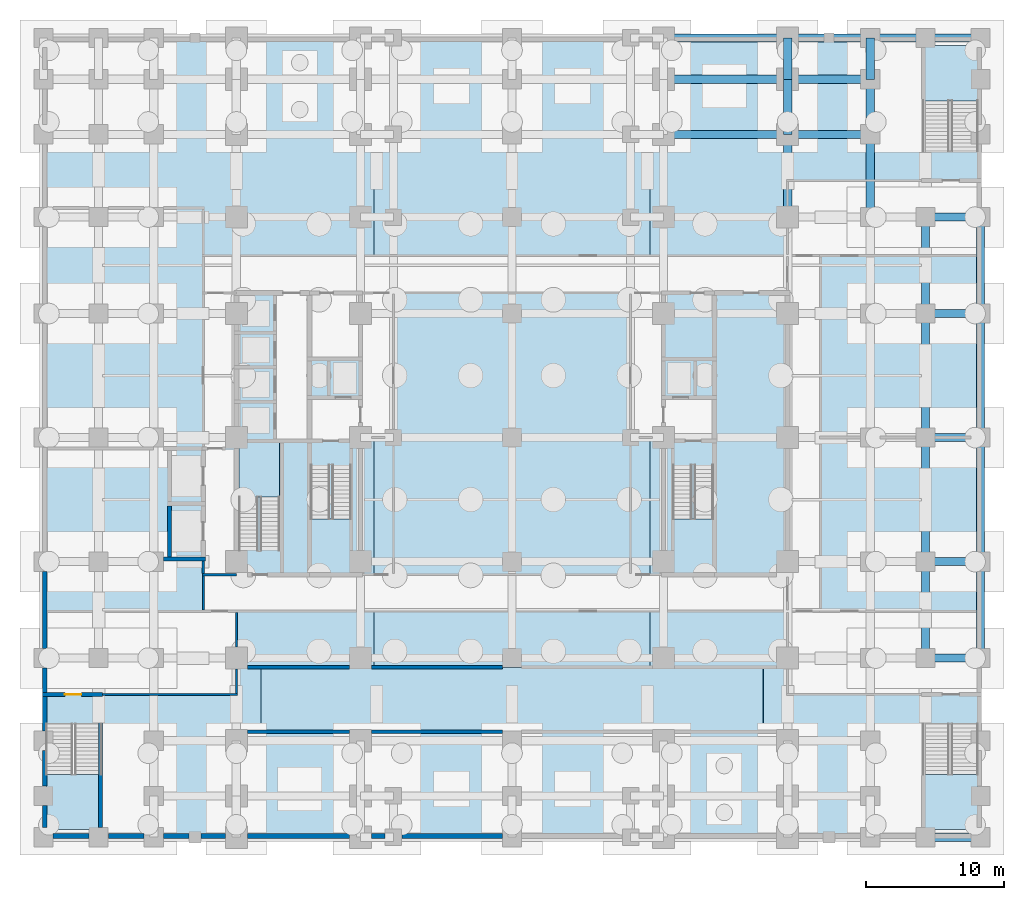
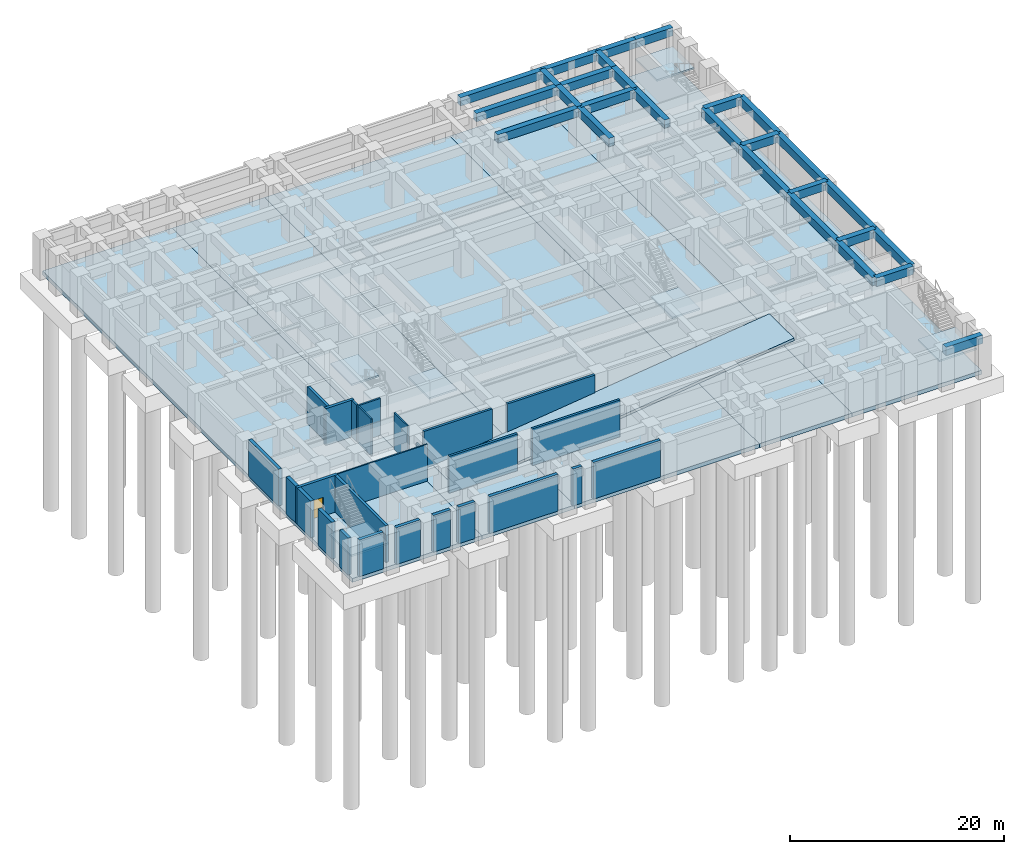
# One storey, part 5 of 16: 28 beams, 26 walls, 12 slabs, 1 door, 1 opening, 6 elements without a shape of their own.
"""IFC4 building model written with IfcOpenShell, lengths in metres."""

from ifc_helpers import new_model, si_unit, direction, frame, frame_2d, origin, origin_2d, place, context, subcontext, project, spatial, polyline, rectangle, outline, extrude, material, layer, layer_set, material_profile, profile_set, type_object, element, fill, aggregate, save


model = new_model("IFC4")

# Units and contexts
model_context = context("Model", 3, precision=1e-05, world=origin(), true_north=direction((0.0, 1.0)))
body_context = subcontext(model_context, "Body", "Model", "MODEL_VIEW")
ifc_project = project(units=[si_unit("LENGTHUNIT", "METRE"), si_unit("AREAUNIT", "SQUARE_METRE"), si_unit("VOLUMEUNIT", "CUBIC_METRE"), si_unit("PLANEANGLEUNIT", "RADIAN"), si_unit("MASSUNIT", "GRAM", prefix="KILO")], contexts=[model_context])

# Site, building, storey
site_placement = place(None, origin())
site = spatial("IfcSite", under=ifc_project, at=site_placement, CompositionType="ELEMENT")
building_placement = place(site_placement, origin())
building = spatial("IfcBuilding", under=site, at=building_placement, Name="Zulmaris Gate Convention Tower", CompositionType="ELEMENT")
storey_placement = place(building_placement, frame((0.0, 0.0, -9.10009765625)))
storey = spatial("IfcBuildingStorey", under=building, at=storey_placement, Name="B2", CompositionType="ELEMENT", Elevation=-9.10009765625)

# Beams
ifc_material_1 = material(Name="Concrete C60/75", Category="concrete")
ifc_material_profile = material_profile(ifc_material_1, rectangle(XDim=0.60009765625, YDim=0.949951171875, at=origin_2d()), Name="RC BEAM 600x950")
ifc_profile_set = profile_set([ifc_material_profile], Name="Concrete C60/75")
beam_type = type_object("IfcBeamType", Name="BM-RC600x950", PredefinedType="BEAM", material=ifc_profile_set)
for number, where, z_axis, x_axis, name in (
    (1, (30.0, -29.0, 3.72509765625), (1.0, 0.0, 0.0), (0.0, 1.0, 0.0), "B2 Beam BM-B2-X--29.0-+30.0"),
    (2, (30.0, -16.0, 3.72509765625), (1.0, 0.0, 0.0), (0.0, 1.0, 0.0), "B2 Beam BM-B2-X--16.0-+30.0"),
    (3, (30.0, -9.0, 3.72509765625), (1.0, 0.0, 0.0), (0.0, 1.0, 0.0), "B2 Beam BM-B2-X--9.0-+30.0"),
    (4, (30.0, 0.0, 3.72509765625), (1.0, 0.0, 0.0), (0.0, 1.0, 0.0), "B2 Beam BM-B2-X-+0.0-+30.0"),
    (5, (30.0, 9.0, 3.72509765625), (1.0, 0.0, 0.0), (0.0, 1.0, 0.0), "B2 Beam BM-B2-X-+9.0-+30.0"),
    (6, (30.0, 16.0, 3.72509765625), (1.0, 0.0, 0.0), (0.0, 1.0, 0.0), "B2 Beam BM-B2-X-+16.0-+30.0"),
):
    element("IfcBeam", number, at=place(storey_placement, frame(where, z_axis=z_axis, x_axis=x_axis)), inside=storey, type_object=beam_type, Name=name, PredefinedType="BEAM", context=body_context, shape_type="SweptSolid", body=[
        extrude(rectangle(XDim=0.60009765625, YDim=0.949951171875, at=origin_2d()), origin(), (0.0, 0.0, 1.0), 4.0),
    ])
beam_1_placement = place(storey_placement, frame((11.0, 22.0, 3.72509765625), z_axis=(1.0, 0.0, 0.0), x_axis=(0.0, 1.0, 0.0)))
element("IfcBeam", 7, at=beam_1_placement, inside=storey, type_object=beam_type, Name="B2 Beam BM-B2-X-+22.0-+11.0", PredefinedType="BEAM", context=body_context, shape_type="SweptSolid", body=[
    extrude(rectangle(XDim=0.60009765625, YDim=0.949951171875, at=origin_2d()), origin(), (0.0, 0.0, 1.0), 9.0),
])
beam_2_placement = place(storey_placement, frame((20.0, 22.0, 3.72509765625), z_axis=(1.0, 0.0, 0.0), x_axis=(0.0, 1.0, 0.0)))
element("IfcBeam", 8, at=beam_2_placement, inside=storey, type_object=beam_type, Name="B2 Beam BM-B2-X-+22.0-+20.0", PredefinedType="BEAM", context=body_context, shape_type="SweptSolid", body=[
    extrude(rectangle(XDim=0.60009765625, YDim=0.949951171875, at=origin_2d()), origin(), (0.0, 0.0, 1.0), 6.0),
])
beam_3_placement = place(storey_placement, frame((11.0, 26.0, 3.72509765625), z_axis=(1.0, 0.0, 0.0), x_axis=(0.0, 1.0, 0.0)))
element("IfcBeam", 9, at=beam_3_placement, inside=storey, type_object=beam_type, Name="B2 Beam BM-B2-X-+26.0-+11.0", PredefinedType="BEAM", context=body_context, shape_type="SweptSolid", body=[
    extrude(rectangle(XDim=0.60009765625, YDim=0.949951171875, at=origin_2d()), origin(), (0.0, 0.0, 1.0), 9.0),
])
beam_4_placement = place(storey_placement, frame((20.0, 26.0, 3.72509765625), z_axis=(1.0, 0.0, 0.0), x_axis=(0.0, 1.0, 0.0)))
element("IfcBeam", 10, at=beam_4_placement, inside=storey, type_object=beam_type, Name="B2 Beam BM-B2-X-+26.0-+20.0", PredefinedType="BEAM", context=body_context, shape_type="SweptSolid", body=[
    extrude(rectangle(XDim=0.60009765625, YDim=0.949951171875, at=origin_2d()), origin(), (0.0, 0.0, 1.0), 6.0),
])
beam_5_placement = place(storey_placement, frame((11.0, 29.0, 3.72509765625), z_axis=(1.0, 0.0, 0.0), x_axis=(0.0, 1.0, 0.0)))
element("IfcBeam", 11, at=beam_5_placement, inside=storey, type_object=beam_type, Name="B2 Beam BM-B2-X-+29.0-+11.0", PredefinedType="BEAM", context=body_context, shape_type="SweptSolid", body=[
    extrude(rectangle(XDim=0.60009765625, YDim=0.949951171875, at=origin_2d()), origin(), (0.0, 0.0, 1.0), 9.0),
])
beam_6_placement = place(storey_placement, frame((20.0, 29.0, 3.72509765625), z_axis=(1.0, 0.0, 0.0), x_axis=(0.0, 1.0, 0.0)))
element("IfcBeam", 12, at=beam_6_placement, inside=storey, type_object=beam_type, Name="B2 Beam BM-B2-X-+29.0-+20.0", PredefinedType="BEAM", context=body_context, shape_type="SweptSolid", body=[
    extrude(rectangle(XDim=0.60009765625, YDim=0.949951171875, at=origin_2d()), origin(), (0.0, 0.0, 1.0), 6.0),
])
for number, where, z_axis, x_axis, name in (
    (13, (26.0, 29.0, 3.72509765625), (1.0, 0.0, 0.0), (0.0, 1.0, 0.0), "B2 Beam BM-B2-X-+29.0-+26.0"),
    (14, (30.0, 29.0, 3.72509765625), (1.0, 0.0, 0.0), (0.0, 1.0, 0.0), "B2 Beam BM-B2-X-+29.0-+30.0"),
):
    element("IfcBeam", number, at=place(storey_placement, frame(where, z_axis=z_axis, x_axis=x_axis)), inside=storey, type_object=beam_type, Name=name, PredefinedType="BEAM", context=body_context, shape_type="SweptSolid", body=[
        extrude(rectangle(XDim=0.60009765625, YDim=0.949951171875, at=origin_2d()), origin(), (0.0, 0.0, 1.0), 4.0),
    ])
beam_7_placement = place(storey_placement, frame((20.0, 16.0, 3.72509765625), z_axis=(0.0, 1.0, 0.0), x_axis=(-1.0, 0.0, 0.0)))
element("IfcBeam", 15, at=beam_7_placement, inside=storey, type_object=beam_type, Name="B2 Beam BM-B2-Y-+20.0-+16.0", PredefinedType="BEAM", context=body_context, shape_type="SweptSolid", body=[
    extrude(rectangle(XDim=0.60009765625, YDim=0.949951171875, at=origin_2d()), origin(), (0.0, 0.0, 1.0), 6.0),
])
beam_8_placement = place(storey_placement, frame((20.0, 22.0, 3.72509765625), z_axis=(0.0, 1.0, 0.0), x_axis=(-1.0, 0.0, 0.0)))
element("IfcBeam", 16, at=beam_8_placement, inside=storey, type_object=beam_type, Name="B2 Beam BM-B2-Y-+20.0-+22.0", PredefinedType="BEAM", context=body_context, shape_type="SweptSolid", body=[
    extrude(rectangle(XDim=0.60009765625, YDim=0.949951171875, at=origin_2d()), origin(), (0.0, 0.0, 1.0), 4.0),
])
beam_9_placement = place(storey_placement, frame((20.0, 26.0, 3.72509765625), z_axis=(0.0, 1.0, 0.0), x_axis=(-1.0, 0.0, 0.0)))
element("IfcBeam", 17, at=beam_9_placement, inside=storey, type_object=beam_type, Name="B2 Beam BM-B2-Y-+20.0-+26.0", PredefinedType="BEAM", context=body_context, shape_type="SweptSolid", body=[
    extrude(rectangle(XDim=0.60009765625, YDim=0.949951171875, at=origin_2d()), origin(), (0.0, 0.0, 1.0), 3.0),
])
beam_10_placement = place(storey_placement, frame((26.0, 16.0, 3.72509765625), z_axis=(0.0, 1.0, 0.0), x_axis=(-1.0, 0.0, 0.0)))
element("IfcBeam", 18, at=beam_10_placement, inside=storey, type_object=beam_type, Name="B2 Beam BM-B2-Y-+26.0-+16.0", PredefinedType="BEAM", context=body_context, shape_type="SweptSolid", body=[
    extrude(rectangle(XDim=0.60009765625, YDim=0.949951171875, at=origin_2d()), origin(), (0.0, 0.0, 1.0), 6.0),
])
beam_11_placement = place(storey_placement, frame((26.0, 22.0, 3.72509765625), z_axis=(0.0, 1.0, 0.0), x_axis=(-1.0, 0.0, 0.0)))
element("IfcBeam", 19, at=beam_11_placement, inside=storey, type_object=beam_type, Name="B2 Beam BM-B2-Y-+26.0-+22.0", PredefinedType="BEAM", context=body_context, shape_type="SweptSolid", body=[
    extrude(rectangle(XDim=0.60009765625, YDim=0.949951171875, at=origin_2d()), origin(), (0.0, 0.0, 1.0), 4.0),
])
beam_12_placement = place(storey_placement, frame((26.0, 26.0, 3.72509765625), z_axis=(0.0, 1.0, 0.0), x_axis=(-1.0, 0.0, 0.0)))
element("IfcBeam", 20, at=beam_12_placement, inside=storey, type_object=beam_type, Name="B2 Beam BM-B2-Y-+26.0-+26.0", PredefinedType="BEAM", context=body_context, shape_type="SweptSolid", body=[
    extrude(rectangle(XDim=0.60009765625, YDim=0.949951171875, at=origin_2d()), origin(), (0.0, 0.0, 1.0), 3.0),
])
beam_13_placement = place(storey_placement, frame((30.0, -16.0, 3.72509765625), z_axis=(0.0, 1.0, 0.0), x_axis=(-1.0, 0.0, 0.0)))
element("IfcBeam", 21, at=beam_13_placement, inside=storey, type_object=beam_type, Name="B2 Beam BM-B2-Y-+30.0--16.0", PredefinedType="BEAM", context=body_context, shape_type="SweptSolid", body=[
    extrude(rectangle(XDim=0.60009765625, YDim=0.949951171875, at=origin_2d()), origin(), (0.0, 0.0, 1.0), 7.0),
])
for number, where, z_axis, x_axis, name in (
    (22, (30.0, -9.0, 3.72509765625), (0.0, 1.0, 0.0), (-1.0, 0.0, 0.0), "B2 Beam BM-B2-Y-+30.0--9.0"),
    (23, (30.0, 0.0, 3.72509765625), (0.0, 1.0, 0.0), (-1.0, 0.0, 0.0), "B2 Beam BM-B2-Y-+30.0-+0.0"),
):
    element("IfcBeam", number, at=place(storey_placement, frame(where, z_axis=z_axis, x_axis=x_axis)), inside=storey, type_object=beam_type, Name=name, PredefinedType="BEAM", context=body_context, shape_type="SweptSolid", body=[
        extrude(rectangle(XDim=0.60009765625, YDim=0.949951171875, at=origin_2d()), origin(), (0.0, 0.0, 1.0), 9.0),
    ])
for number, where, z_axis, x_axis, name in (
    (24, (30.0, 9.0, 3.72509765625), (0.0, 1.0, 0.0), (-1.0, 0.0, 0.0), "B2 Beam BM-B2-Y-+30.0-+9.0"),
    (25, (34.0, -16.0, 3.72509765625), (0.0, 1.0, 0.0), (-1.0, 0.0, 0.0), "B2 Beam BM-B2-Y-+34.0--16.0"),
):
    element("IfcBeam", number, at=place(storey_placement, frame(where, z_axis=z_axis, x_axis=x_axis)), inside=storey, type_object=beam_type, Name=name, PredefinedType="BEAM", context=body_context, shape_type="SweptSolid", body=[
        extrude(rectangle(XDim=0.60009765625, YDim=0.949951171875, at=origin_2d()), origin(), (0.0, 0.0, 1.0), 7.0),
    ])
for number, where, z_axis, x_axis, name in (
    (26, (34.0, -9.0, 3.72509765625), (0.0, 1.0, 0.0), (-1.0, 0.0, 0.0), "B2 Beam BM-B2-Y-+34.0--9.0"),
    (27, (34.0, 0.0, 3.72509765625), (0.0, 1.0, 0.0), (-1.0, 0.0, 0.0), "B2 Beam BM-B2-Y-+34.0-+0.0"),
):
    element("IfcBeam", number, at=place(storey_placement, frame(where, z_axis=z_axis, x_axis=x_axis)), inside=storey, type_object=beam_type, Name=name, PredefinedType="BEAM", context=body_context, shape_type="SweptSolid", body=[
        extrude(rectangle(XDim=0.60009765625, YDim=0.949951171875, at=origin_2d()), origin(), (0.0, 0.0, 1.0), 9.0),
    ])
beam_14_placement = place(storey_placement, frame((34.0, 9.0, 3.72509765625), z_axis=(0.0, 1.0, 0.0), x_axis=(-1.0, 0.0, 0.0)))
element("IfcBeam", 28, at=beam_14_placement, inside=storey, type_object=beam_type, Name="B2 Beam BM-B2-Y-+34.0-+9.0", PredefinedType="BEAM", context=body_context, shape_type="SweptSolid", body=[
    extrude(rectangle(XDim=0.60009765625, YDim=0.949951171875, at=origin_2d()), origin(), (0.0, 0.0, 1.0), 7.0),
])

# Slabs
ifc_material_2 = material(Name="Concrete C50/60", Category="concrete")
ifc_layer_1 = layer(ifc_material_2, 0.449951171875, Name="Concrete C50/60")
ifc_layer_set_1 = layer_set([ifc_layer_1], Name="Concrete C50/60")
slab_type_1 = type_object("IfcSlabType", Name="SL-BASE-450", PredefinedType="BASESLAB", material=ifc_layer_set_1)
slab_1_placement = place(storey_placement, frame((0.0, 0.0, -0.449951171875)))
element("IfcSlab", 29, at=slab_1_placement, inside=storey, type_object=slab_type_1, Name="B2 Base Slab Bay A", PredefinedType="BASESLAB", context=body_context, shape_type="SweptSolid", body=[
    extrude(outline(polyline([(-34.0, -29.0), (-20.0, -29.0), (-20.0, 29.0), (-34.0, 29.0), (-34.0, -29.0)])), origin(), (0.0, 0.0, 1.0), 0.449951171875),
])
slab_2_placement = place(storey_placement, frame((0.0, 0.0, -0.449951171875)))
element("IfcSlab", 30, at=slab_2_placement, inside=storey, type_object=slab_type_1, Name="B2 Base Slab Bay B", PredefinedType="BASESLAB", context=body_context, shape_type="SweptSolid", body=[
    extrude(outline(polyline([(-20.0, -29.0), (-10.0, -29.0), (-10.0, 29.0), (-20.0, 29.0), (-20.0, -29.0)]), holes=[polyline([(-18.219970703125, -21.320068359375), (-15.679931640625, -21.320068359375), (-15.679931640625, -16.679931640625), (-18.219970703125, -16.679931640625), (-18.219970703125, -21.320068359375)])]), origin(), (0.0, 0.0, 1.0), 0.449951171875),
])
slab_3_placement = place(storey_placement, frame((0.0, 0.0, -0.449951171875)))
element("IfcSlab", 31, at=slab_3_placement, inside=storey, type_object=slab_type_1, Name="B2 Base Slab Bay C", PredefinedType="BASESLAB", context=body_context, shape_type="SweptSolid", body=[
    extrude(outline(polyline([(-10.0, -29.0), (10.0, -29.0), (10.0, 29.0), (-10.0, 29.0), (-10.0, -29.0)])), origin(), (0.0, 0.0, 1.0), 0.449951171875),
])
slab_4_placement = place(storey_placement, frame((0.0, 0.0, -0.449951171875)))
element("IfcSlab", 32, at=slab_4_placement, inside=storey, type_object=slab_type_1, Name="B2 Base Slab Bay D", PredefinedType="BASESLAB", context=body_context, shape_type="SweptSolid", body=[
    extrude(outline(polyline([(10.0, -29.0), (20.0, -29.0), (20.0, 29.0), (10.0, 29.0), (10.0, -29.0)])), origin(), (0.0, 0.0, 1.0), 0.449951171875),
])
slab_5_placement = place(storey_placement, frame((0.0, 0.0, -0.449951171875)))
element("IfcSlab", 33, at=slab_5_placement, inside=storey, type_object=slab_type_1, Name="B2 Base Slab Bay E", PredefinedType="BASESLAB", context=body_context, shape_type="SweptSolid", body=[
    extrude(outline(polyline([(20.0, -29.0), (34.0, -29.0), (34.0, 29.0), (20.0, 29.0), (20.0, -29.0)])), origin(), (0.0, 0.0, 1.0), 0.449951171875),
])

# Stair, slab
ifc_material_3 = material(Name="Concrete C45/55", Category="concrete")
stair_type_1 = type_object("IfcStairType", Name="ST-CORE-DOGLEG", PredefinedType="HALF_TURN_STAIR", material=ifc_material_3)
stair_1_placement = place(storey_placement, origin())
stair_1 = element("IfcStair", 34, at=stair_1_placement, inside=storey, type_object=stair_type_1, Name="B2 Core Exit Stair ST-1", PredefinedType="HALF_TURN_STAIR")
ifc_layer_2 = layer(ifc_material_3, 0.199951171875, Name="Concrete C45/55")
ifc_layer_set_2 = layer_set([ifc_layer_2], Name="Concrete C45/55")
slab_type_2 = type_object("IfcSlabType", Name="SL-LND-200", PredefinedType="LANDING", material=ifc_layer_set_2)
slab_6_placement = place(storey_placement, frame((0.0, 0.0, 2.074951171875)))
slab_6 = element("IfcSlab", 35, at=slab_6_placement, type_object=slab_type_2, Name="ST-1 landing 1", PredefinedType="LANDING", context=body_context, shape_type="SweptSolid", body=[
    extrude(outline(polyline([(-14.6201171875, -5.89990234375), (-14.6201171875, -9.85009765625), (-11.659912109375, -9.85009765625), (-11.659912109375, -5.89990234375), (-14.6201171875, -5.89990234375)])), origin(), (0.0, 0.0, 1.0), 0.2001953125),
])
aggregate(stair_1, [slab_6])

stair_2_placement = place(storey_placement, origin())
stair_2 = element("IfcStair", 36, at=stair_2_placement, inside=storey, type_object=stair_type_1, Name="B2 Core Exit Stair ST-2", PredefinedType="HALF_TURN_STAIR")
slab_7_placement = place(storey_placement, frame((0.0, 0.0, 2.074951171875)))
slab_7 = element("IfcSlab", 37, at=slab_7_placement, type_object=slab_type_2, Name="ST-2 landing 1", PredefinedType="LANDING", context=body_context, shape_type="SweptSolid", body=[
    extrude(outline(polyline([(11.659912109375, -5.89990234375), (11.659912109375, -9.85009765625), (14.6201171875, -9.85009765625), (14.6201171875, -5.89990234375), (11.659912109375, -5.89990234375)])), origin(), (0.0, 0.0, 1.0), 0.2001953125),
])
aggregate(stair_2, [slab_7])

stair_3_placement = place(storey_placement, origin())
stair_3 = element("IfcStair", 38, at=stair_3_placement, inside=storey, type_object=stair_type_1, Name="B2 Core Exit Stair ST-3", PredefinedType="HALF_TURN_STAIR")
slab_8_placement = place(storey_placement, frame((0.0, 0.0, 2.074951171875)))
slab_8 = element("IfcSlab", 39, at=slab_8_placement, type_object=slab_type_2, Name="ST-3 landing 1", PredefinedType="LANDING", context=body_context, shape_type="SweptSolid", body=[
    extrude(outline(polyline([(-16.860107421875, -4.300048828125), (-16.860107421875, -0.35009765625), (-19.820068359375, -0.35009765625), (-19.820068359375, -4.300048828125), (-16.860107421875, -4.300048828125)])), origin(), (0.0, 0.0, 1.0), 0.2001953125),
])
aggregate(stair_3, [slab_8])

stair_type_2 = type_object("IfcStairType", Name="ST-POD-DOGLEG", PredefinedType="HALF_TURN_STAIR", material=ifc_material_3)
stair_4_placement = place(storey_placement, origin())
stair_4 = element("IfcStair", 40, at=stair_4_placement, inside=storey, type_object=stair_type_2, Name="B2 Podium Exit Stair ST-4", PredefinedType="HALF_TURN_STAIR")
slab_9_placement = place(storey_placement, frame((0.0, 0.0, 2.074951171875)))
slab_9 = element("IfcSlab", 41, at=slab_9_placement, type_object=slab_type_2, Name="ST-4 landing 1", PredefinedType="LANDING", context=body_context, shape_type="SweptSolid", body=[
    extrude(outline(polyline([(-33.830078125, -24.43994140625), (-33.830078125, -28.449951171875), (-29.780029296875, -28.449951171875), (-29.780029296875, -24.43994140625), (-33.830078125, -24.43994140625)])), origin(), (0.0, 0.0, 1.0), 0.2001953125),
])
aggregate(stair_4, [slab_9])

stair_5_placement = place(storey_placement, origin())
stair_5 = element("IfcStair", 42, at=stair_5_placement, inside=storey, type_object=stair_type_2, Name="B2 Podium Exit Stair ST-5", PredefinedType="HALF_TURN_STAIR")
slab_10_placement = place(storey_placement, frame((0.0, 0.0, 2.074951171875)))
slab_10 = element("IfcSlab", 43, at=slab_10_placement, type_object=slab_type_2, Name="ST-5 landing 1", PredefinedType="LANDING", context=body_context, shape_type="SweptSolid", body=[
    extrude(outline(polyline([(33.830078125, 24.43994140625), (33.830078125, 28.449951171875), (29.780029296875, 28.449951171875), (29.780029296875, 24.43994140625), (33.830078125, 24.43994140625)])), origin(), (0.0, 0.0, 1.0), 0.2001953125),
])
aggregate(stair_5, [slab_10])

stair_6_placement = place(storey_placement, origin())
stair_6 = element("IfcStair", 44, at=stair_6_placement, inside=storey, type_object=stair_type_2, Name="B2 Podium Exit Stair ST-6", PredefinedType="HALF_TURN_STAIR")
slab_11_placement = place(storey_placement, frame((0.0, 0.0, 2.074951171875)))
slab_11 = element("IfcSlab", 45, at=slab_11_placement, type_object=slab_type_2, Name="ST-6 landing 1", PredefinedType="LANDING", context=body_context, shape_type="SweptSolid", body=[
    extrude(outline(polyline([(29.780029296875, -24.43994140625), (29.780029296875, -28.449951171875), (33.830078125, -28.449951171875), (33.830078125, -24.43994140625), (29.780029296875, -24.43994140625)])), origin(), (0.0, 0.0, 1.0), 0.2001953125),
])
aggregate(stair_6, [slab_11])

# Slab
ifc_layer_3 = layer(ifc_material_2, 0.300048828125, Name="Concrete C50/60")
ifc_layer_set_3 = layer_set([ifc_layer_3], Name="Concrete C50/60")
slab_type_3 = type_object("IfcSlabType", Name="SL-RMP-VEH-300", PredefinedType="FLOOR", material=ifc_layer_set_3)
slab_12_placement = place(storey_placement, frame((-18.199951171875, -21.300048828125, 0.0), z_axis=(-0.124036372837, 0.0, 0.992277671931), x_axis=(0.992277671931, 0.0, 0.124036372837)))
element("IfcSlab", 46, at=slab_12_placement, inside=storey, type_object=slab_type_3, Name="Car Park Vehicle Ramp Slab R1 Lower", PredefinedType="FLOOR", context=body_context, shape_type="SweptSolid", body=[
    extrude(outline(polyline([(0.0, 0.0), (36.68318190905553, 0.0), (36.68318190905553, 4.60009765625), (0.0, 4.60009765625), (0.0, 0.0)])), origin(), (0.0, 0.0, -1.0), 0.300048828125),
])

# Walls
ifc_layer_4 = layer(ifc_material_2, 0.25, Name="Concrete C50/60")
ifc_layer_set_4 = layer_set([ifc_layer_4], Name="Concrete C50/60")
wall_type_1 = type_object("IfcWallType", Name="CORE-250", PredefinedType="SOLIDWALL", material=ifc_layer_set_4)
wall_1_placement = place(storey_placement, frame((-19.196044921875, -21.35009765625, 0.0), z_axis=(0.0, 0.0, 1.0), x_axis=(1.0, 0.0, 0.0)))
element("IfcWall", 47, at=wall_1_placement, inside=storey, type_object=wall_type_1, Name="WL-B2-002", PredefinedType="SOLIDWALL", context=body_context, shape_type="SweptSolid", body=[
    extrude(rectangle(XDim=7.39208984375, YDim=0.25, at=frame_2d((3.696044921875, 0.0))), origin(), (0.0, 0.0, 1.0), 4.2001953125),
])
wall_2_placement = place(storey_placement, frame((-10.196044921875, -21.35009765625, 0.0), z_axis=(0.0, 0.0, 1.0), x_axis=(1.0, 0.0, 0.0)))
element("IfcWall", 48, at=wall_2_placement, inside=storey, type_object=wall_type_1, Name="WL-B2-002S1", PredefinedType="SOLIDWALL", context=body_context, shape_type="SweptSolid", body=[
    extrude(rectangle(XDim=9.491943359375, YDim=0.25, at=frame_2d((4.74609375, 0.0))), origin(), (0.0, 0.0, 1.0), 4.2001953125),
])
wall_3_placement = place(storey_placement, frame((-19.196044921875, -16.64990234375, 0.0), z_axis=(0.0, 0.0, 1.0), x_axis=(1.0, 0.0, 0.0)))
element("IfcWall", 49, at=wall_3_placement, inside=storey, type_object=wall_type_1, Name="WL-B2-005", PredefinedType="SOLIDWALL", context=body_context, shape_type="SweptSolid", body=[
    extrude(rectangle(XDim=7.39208984375, YDim=0.25, at=frame_2d((3.696044921875, 0.0))), origin(), (0.0, 0.0, 1.0), 4.2001953125),
])
wall_4_placement = place(storey_placement, frame((-10.196044921875, -16.64990234375, 0.0), z_axis=(0.0, 0.0, 1.0), x_axis=(1.0, 0.0, 0.0)))
element("IfcWall", 50, at=wall_4_placement, inside=storey, type_object=wall_type_1, Name="WL-B2-005S1", PredefinedType="SOLIDWALL", context=body_context, shape_type="SweptSolid", body=[
    extrude(rectangle(XDim=9.491943359375, YDim=0.25, at=frame_2d((4.74609375, 0.0))), origin(), (0.0, 0.0, 1.0), 4.2001953125),
])

# Wall, opening, door
ifc_layer_5 = layer(ifc_material_2, 0.300048828125, Name="Concrete C50/60")
ifc_layer_set_5 = layer_set([ifc_layer_5], Name="Concrete C50/60")
wall_type_2 = type_object("IfcWallType", Name="CORE-300", PredefinedType="SHEAR", material=ifc_layer_set_5)
wall_5_placement = place(storey_placement, frame((-34.074951171875, -18.64990234375, 0.0), z_axis=(0.0, 0.0, 1.0), x_axis=(1.0, 0.0, 0.0)))
wall_5 = element("IfcWall", 51, at=wall_5_placement, inside=storey, type_object=wall_type_2, Name="WL-B2-003", PredefinedType="SHEAR", context=body_context, shape_type="SweptSolid", body=[
    extrude(rectangle(XDim=4.375, YDim=0.300048828125, at=frame_2d((2.1875, 0.0))), origin(), (0.0, 0.0, 1.0), 4.2001953125),
])
opening_placement = place(wall_5_placement, frame((1.625, 0.0, 0.0)))
opening = element("IfcOpeningElement", 52, at=opening_placement, cuts=wall_5, Name="Opening D-13", PredefinedType="OPENING", context=body_context, shape_type="SweptSolid", body=[
    extrude(rectangle(XDim=1.199951171875, YDim=2.14990234375, at=frame_2d((0.60009765625, 1.074951171875))), frame((0.0, 0.16015625, 0.0), z_axis=(0.0, -1.0, 0.0), x_axis=(1.0, 0.0, 0.0)), (0.0, 0.0, 1.0), 0.320068359375),
])
ifc_material_4 = material(Name="Fire-Rated Steel", Category="steel")
door_type = type_object("IfcDoorType", Name="DR-1200-FD", OperationType="NOTDEFINED", PredefinedType="DOOR", material=ifc_material_4)
door_placement = place(opening_placement, origin())
door = element("IfcDoor", 53, at=door_placement, inside=storey, type_object=door_type, Name="B2 Exit Stair ST-4 Door 19", OperationType="SINGLE_SWING_LEFT", OverallHeight=2.14990234375, OverallWidth=1.199951171875, PredefinedType="DOOR", context=body_context, shape_type="SweptSolid", body=[
    extrude(rectangle(XDim=1.199951171875, YDim=2.14990234375, at=frame_2d((0.60009765625, 1.074951171875))), frame((0.0, 0.02490234375, 0.0), z_axis=(0.0, -1.0, 0.0), x_axis=(1.0, 0.0, 0.0)), (0.0, 0.0, 1.0), 0.050048828125),
])
fill(opening, door)

# Walls
wall_6_placement = place(storey_placement, frame((-25.2958984375, -8.800048828125, 0.0), z_axis=(0.0, 0.0, 1.0), x_axis=(1.0, 0.0, 0.0)))
element("IfcWall", 54, at=wall_6_placement, inside=storey, type_object=wall_type_2, Name="WL-B2-010", PredefinedType="SHEAR", context=body_context, shape_type="SweptSolid", body=[
    extrude(rectangle(XDim=3.0458984375, YDim=0.300048828125, at=frame_2d((1.52294921875, 0.0))), origin(), (0.0, 0.0, 1.0), 4.2001953125),
])
wall_7_placement = place(storey_placement, frame((-29.85009765625, -28.2958984375, 0.0), z_axis=(0.0, 0.0, 1.0), x_axis=(0.0, 1.0, 0.0)))
element("IfcWall", 55, at=wall_7_placement, inside=storey, type_object=wall_type_2, Name="WL-B2-047", PredefinedType="SHEAR", context=body_context, shape_type="SweptSolid", body=[
    extrude(rectangle(XDim=9.493896484375, YDim=0.300048828125, at=frame_2d((4.7470703125, 0.0))), origin(), (0.0, 0.0, 1.0), 4.2001953125),
])
wall_8_placement = place(storey_placement, frame((-24.85009765625, -8.64794921875, 0.0), z_axis=(0.0, 0.0, 1.0), x_axis=(0.0, 1.0, 0.0)))
element("IfcWall", 56, at=wall_8_placement, inside=storey, type_object=wall_type_2, Name="WL-B2-048", PredefinedType="SHEAR", context=body_context, shape_type="SweptSolid", body=[
    extrude(rectangle(XDim=3.696044921875, YDim=0.300048828125, at=frame_2d((1.84814453125, 0.0))), origin(), (0.0, 0.0, 1.0), 4.2001953125),
])
ifc_material_5 = material(Name="Concrete C55/67", Category="concrete")
ifc_layer_6 = layer(ifc_material_5, 0.35009765625, Name="Concrete C55/67")
ifc_layer_set_6 = layer_set([ifc_layer_6], Name="Concrete C55/67")
wall_type_3 = type_object("IfcWallType", Name="CORE-350", PredefinedType="SHEAR", material=ifc_layer_set_6)
for number, where, z_axis, x_axis, name in (
    (57, (-33.2958984375, -28.89990234375, 0.0), (0.0, 0.0, 1.0), (1.0, 0.0, 0.0), "WL-B2-001"),
    (58, (-29.2958984375, -28.89990234375, 0.0), (0.0, 0.0, 1.0), (1.0, 0.0, 0.0), "WL-B2-001S1"),
):
    element("IfcWall", number, at=place(storey_placement, frame(where, z_axis=z_axis, x_axis=x_axis)), inside=storey, type_object=wall_type_3, Name=name, PredefinedType="SHEAR", context=body_context, shape_type="SweptSolid", body=[
        extrude(rectangle(XDim=2.591796875, YDim=0.35009765625, at=frame_2d((1.2958984375, 0.0))), origin(), (0.0, 0.0, 1.0), 4.2001953125),
    ])
wall_9_placement = place(storey_placement, frame((-25.2958984375, -28.89990234375, 0.0), z_axis=(0.0, 0.0, 1.0), x_axis=(1.0, 0.0, 0.0)))
element("IfcWall", 59, at=wall_9_placement, inside=storey, type_object=wall_type_3, Name="WL-B2-001S2", PredefinedType="SHEAR", context=body_context, shape_type="SweptSolid", body=[
    extrude(rectangle(XDim=1.866943359375, YDim=0.35009765625, at=frame_2d((0.93359375, 0.0))), origin(), (0.0, 0.0, 1.0), 4.2001953125),
])
wall_10_placement = place(storey_placement, frame((-22.571044921875, -28.89990234375, 0.0), z_axis=(0.0, 0.0, 1.0), x_axis=(1.0, 0.0, 0.0)))
element("IfcWall", 60, at=wall_10_placement, inside=storey, type_object=wall_type_3, Name="WL-B2-001S3", PredefinedType="SHEAR", context=body_context, shape_type="SweptSolid", body=[
    extrude(rectangle(XDim=1.76708984375, YDim=0.35009765625, at=frame_2d((0.883544921875, 0.0))), origin(), (0.0, 0.0, 1.0), 4.2001953125),
])
wall_11_placement = place(storey_placement, frame((-19.196044921875, -28.89990234375, 0.0), z_axis=(0.0, 0.0, 1.0), x_axis=(1.0, 0.0, 0.0)))
element("IfcWall", 61, at=wall_11_placement, inside=storey, type_object=wall_type_3, Name="WL-B2-001S4", PredefinedType="SHEAR", context=body_context, shape_type="SweptSolid", body=[
    extrude(rectangle(XDim=7.39208984375, YDim=0.35009765625, at=frame_2d((3.696044921875, 0.0))), origin(), (0.0, 0.0, 1.0), 4.2001953125),
])
wall_12_placement = place(storey_placement, frame((-10.196044921875, -28.89990234375, 0.0), z_axis=(0.0, 0.0, 1.0), x_axis=(1.0, 0.0, 0.0)))
element("IfcWall", 62, at=wall_12_placement, inside=storey, type_object=wall_type_3, Name="WL-B2-001S5", PredefinedType="SHEAR", context=body_context, shape_type="SweptSolid", body=[
    extrude(rectangle(XDim=0.991943359375, YDim=0.35009765625, at=frame_2d((0.49609375, 0.0))), origin(), (0.0, 0.0, 1.0), 4.2001953125),
])
wall_13_placement = place(storey_placement, frame((-7.99609375, -28.89990234375, 0.0), z_axis=(0.0, 0.0, 1.0), x_axis=(1.0, 0.0, 0.0)))
element("IfcWall", 63, at=wall_13_placement, inside=storey, type_object=wall_type_3, Name="WL-B2-001S6", PredefinedType="SHEAR", context=body_context, shape_type="SweptSolid", body=[
    extrude(rectangle(XDim=7.2919921875, YDim=0.35009765625, at=frame_2d((3.64599609375, 0.0))), origin(), (0.0, 0.0, 1.0), 4.2001953125),
])
wall_14_placement = place(storey_placement, frame((-33.89990234375, -28.2958984375, 0.0), z_axis=(0.0, 0.0, 1.0), x_axis=(0.0, 1.0, 0.0)))
element("IfcWall", 64, at=wall_14_placement, inside=storey, type_object=wall_type_3, Name="WL-B2-045", PredefinedType="SHEAR", context=body_context, shape_type="SweptSolid", body=[
    extrude(rectangle(XDim=1.591796875, YDim=0.35009765625, at=frame_2d((0.7958984375, 0.0))), origin(), (0.0, 0.0, 1.0), 4.2001953125),
])
wall_15_placement = place(storey_placement, frame((-33.89990234375, -25.2958984375, 0.0), z_axis=(0.0, 0.0, 1.0), x_axis=(0.0, 1.0, 0.0)))
element("IfcWall", 65, at=wall_15_placement, inside=storey, type_object=wall_type_3, Name="WL-B2-045S1", PredefinedType="SHEAR", context=body_context, shape_type="SweptSolid", body=[
    extrude(rectangle(XDim=2.591796875, YDim=0.35009765625, at=frame_2d((1.2958984375, 0.0))), origin(), (0.0, 0.0, 1.0), 4.2001953125),
])
wall_16_placement = place(storey_placement, frame((-33.89990234375, -21.2958984375, 0.0), z_axis=(0.0, 0.0, 1.0), x_axis=(0.0, 1.0, 0.0)))
element("IfcWall", 66, at=wall_16_placement, inside=storey, type_object=wall_type_3, Name="WL-B2-045S2", PredefinedType="SHEAR", context=body_context, shape_type="SweptSolid", body=[
    extrude(rectangle(XDim=2.493896484375, YDim=0.35009765625, at=frame_2d((1.2470703125, 0.0))), origin(), (0.0, 0.0, 1.0), 4.2001953125),
])
wall_17_placement = place(storey_placement, frame((-33.89990234375, -18.498046875, 0.0), z_axis=(0.0, 0.0, 1.0), x_axis=(0.0, 1.0, 0.0)))
element("IfcWall", 67, at=wall_17_placement, inside=storey, type_object=wall_type_3, Name="WL-B2-046", PredefinedType="SHEAR", context=body_context, shape_type="SweptSolid", body=[
    extrude(rectangle(XDim=1.7939453125, YDim=0.35009765625, at=frame_2d((0.89697265625, 0.0))), origin(), (0.0, 0.0, 1.0), 4.2001953125),
])
wall_18_placement = place(storey_placement, frame((-33.89990234375, -15.2958984375, 0.0), z_axis=(0.0, 0.0, 1.0), x_axis=(0.0, 1.0, 0.0)))
element("IfcWall", 68, at=wall_18_placement, inside=storey, type_object=wall_type_3, Name="WL-B2-046S1", PredefinedType="SHEAR", context=body_context, shape_type="SweptSolid", body=[
    extrude(rectangle(XDim=5.591796875, YDim=0.35009765625, at=frame_2d((2.7958984375, 0.0))), origin(), (0.0, 0.0, 1.0), 4.2001953125),
])
ifc_material_6 = material(Name="Gypsum Metal Stud Partition")
ifc_layer_7 = layer(ifc_material_6, 0.14990234375, Name="Gypsum Metal Stud Partition")
ifc_layer_set_7 = layer_set([ifc_layer_7], Name="Gypsum Metal Stud Partition")
wall_type_4 = type_object("IfcWallType", Name="PART-150", PredefinedType="PARTITIONING", material=ifc_layer_set_7)
wall_19_placement = place(storey_placement, frame((-29.85009765625, -18.64990234375, 0.0), z_axis=(0.0, 0.0, 1.0), x_axis=(1.0, 0.0, 0.0)))
element("IfcWall", 69, at=wall_19_placement, inside=storey, type_object=wall_type_4, Name="WL-B2-028", PredefinedType="PARTITIONING", context=body_context, shape_type="SweptSolid", body=[
    extrude(rectangle(XDim=9.925048828125, YDim=0.14990234375, at=frame_2d((4.96240234375, 0.0))), origin(), (0.0, 0.0, 1.0), 4.2001953125),
])
wall_20_placement = place(storey_placement, frame((-22.39990234375, -12.52197265625, 0.0), z_axis=(0.0, 0.0, 1.0), x_axis=(0.0, 1.0, 0.0)))
element("IfcWall", 70, at=wall_20_placement, inside=storey, type_object=wall_type_4, Name="WL-B2-088", PredefinedType="PARTITIONING", context=body_context, shape_type="SweptSolid", body=[
    extrude(rectangle(XDim=2.468994140625, YDim=0.14990234375, at=frame_2d((1.234375, 0.0))), origin(), (0.0, 0.0, 1.0), 4.2001953125),
])
wall_21_placement = place(storey_placement, frame((-20.0, -18.572021484375, 0.0), z_axis=(0.0, 0.0, 1.0), x_axis=(0.0, 1.0, 0.0)))
element("IfcWall", 71, at=wall_21_placement, inside=storey, type_object=wall_type_4, Name="WL-B2-093", PredefinedType="PARTITIONING", context=body_context, shape_type="SweptSolid", body=[
    extrude(rectangle(XDim=1.76611328125, YDim=0.14990234375, at=frame_2d((0.883056640625, 0.0))), origin(), (0.0, 0.0, 1.0), 3.2421875),
])
wall_22_placement = place(storey_placement, frame((-20.0, -15.194091796875, 0.0), z_axis=(0.0, 0.0, 1.0), x_axis=(0.0, 1.0, 0.0)))
element("IfcWall", 72, at=wall_22_placement, inside=storey, type_object=wall_type_4, Name="WL-B2-094", PredefinedType="PARTITIONING", context=body_context, shape_type="SweptSolid", body=[
    extrude(rectangle(XDim=2.51611328125, YDim=0.14990234375, at=frame_2d((1.258056640625, 0.0))), origin(), (0.0, 0.0, 1.0), 4.2001953125),
])
ifc_material_7 = material(Name="Autoclaved Aerated Concrete Block and Plasterboard", Category="concrete")
ifc_layer_8 = layer(ifc_material_7, 0.199951171875, Name="Autoclaved Aerated Concrete Block and Plasterboard")
ifc_layer_set_8 = layer_set([ifc_layer_8], Name="Autoclaved Aerated Concrete Block and Plasterboard")
wall_type_5 = type_object("IfcWallType", Name="PART-200", PredefinedType="PARTITIONING", material=ifc_layer_set_8)
wall_23_placement = place(storey_placement, frame((-22.47509765625, -9.949951171875, 0.0), z_axis=(0.0, 0.0, 1.0), x_axis=(1.0, 0.0, 0.0)))
element("IfcWall", 73, at=wall_23_placement, inside=storey, type_object=wall_type_5, Name="WL-B2-032", PredefinedType="PARTITIONING", context=body_context, shape_type="SweptSolid", body=[
    extrude(rectangle(XDim=2.47509765625, YDim=0.199951171875, at=frame_2d((1.237548828125, 0.0))), origin(), (0.0, 0.0, 1.0), 4.2001953125),
])
wall_24_placement = place(storey_placement, frame((-22.39990234375, -9.846923828125, 0.0), z_axis=(0.0, 0.0, 1.0), x_axis=(0.0, 1.0, 0.0)))
element("IfcWall", 74, at=wall_24_placement, inside=storey, type_object=wall_type_5, Name="WL-B2-089", PredefinedType="PARTITIONING", context=body_context, shape_type="SweptSolid", body=[
    extrude(rectangle(XDim=0.89404296875, YDim=0.199951171875, at=frame_2d((0.447021484375, 0.0))), origin(), (0.0, 0.0, 1.0), 4.2001953125),
])

save(model, "model.ifc")
